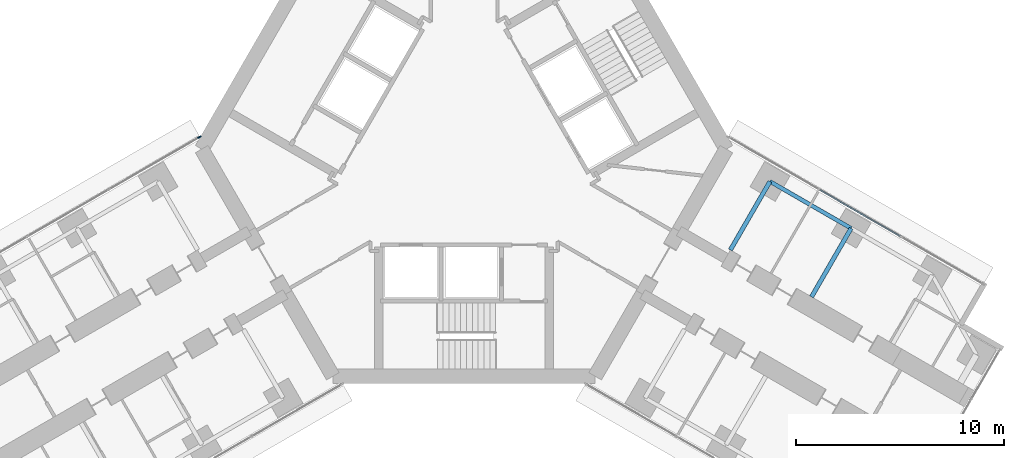
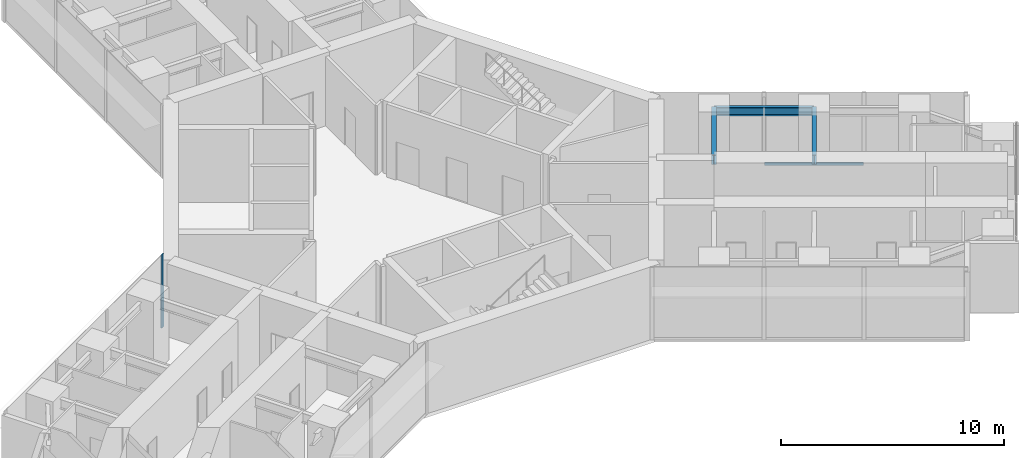
# One storey, part 10 of 25: 3 beams, 2 members, 2 elements without a shape of their own.
"""IFC4 building model written with IfcOpenShell, lengths in metres."""

from ifc_helpers import new_model, si_unit, direction, frame, origin, origin_2d, place, context, subcontext, project, spatial, rectangle, i_section, extrude, material, material_profile, profile_set, type_object, element, aggregate, save


model = new_model("IFC4")

# Units and contexts
model_context = context("Model", 3, precision=1e-05, world=origin(), true_north=direction((0.0, 1.0)))
body_context = subcontext(model_context, "Body", "Model", "MODEL_VIEW")
ifc_project = project(units=[si_unit("LENGTHUNIT", "METRE"), si_unit("AREAUNIT", "SQUARE_METRE"), si_unit("VOLUMEUNIT", "CUBIC_METRE"), si_unit("PLANEANGLEUNIT", "RADIAN"), si_unit("MASSUNIT", "GRAM", prefix="KILO")], contexts=[model_context])

# Site, building, storey
site_placement = place(None, origin())
site = spatial("IfcSite", under=ifc_project, at=site_placement, CompositionType="ELEMENT")
building_placement = place(site_placement, origin())
building = spatial("IfcBuilding", under=site, at=building_placement, Name="Upepo Twin Towers", CompositionType="ELEMENT")
storey_placement = place(building_placement, frame((0.0, 0.0, 80.5)))
storey = spatial("IfcBuildingStorey", under=building, at=storey_placement, Name="L19", CompositionType="ELEMENT", Elevation=80.5)

# Beams
ifc_material_1 = material(Name="Steel S355", Category="steel")
ifc_material_profile_1 = material_profile(ifc_material_1, i_section(OverallWidth=0.1904296875, OverallDepth=0.45703125, WebThickness=0.009033203125, FlangeThickness=0.014404296875, FilletRadius=0.01025390625, at=origin_2d()), Name="UB 457x191x74")
ifc_profile_set_1 = profile_set([ifc_material_profile_1], Name="Steel S355")
beam_type_1 = type_object("IfcBeamType", Name="Beam UB 457x191x74", PredefinedType="BEAM", material=ifc_profile_set_1)
beam_1_placement = place(storey_placement, frame((73.19140625, -19.553955078125, 3.571533203125), z_axis=(0.866017533419, -0.500013631625, 0.0), x_axis=(0.500013631625, 0.866017533419, 0.0)))
element("IfcBeam", 1, at=beam_1_placement, inside=storey, type_object=beam_type_1, Name="T2 edge beam CL 13.5-18.0", PredefinedType="BEAM", context=body_context, shape_type="SweptSolid", body=[
    extrude(i_section(OverallWidth=0.1904296875, OverallDepth=0.45703125, WebThickness=0.009033203125, FlangeThickness=0.014404296875, FilletRadius=0.01025390625, at=origin_2d()), origin(), (0.0, 0.0, 1.0), 4.499755859375),
])
ifc_material_2 = material(Name="Steel S355", Category="steel")
ifc_material_profile_2 = material_profile(ifc_material_2, i_section(OverallWidth=0.209228515625, OverallDepth=0.533203125, WebThickness=0.010009765625, FlangeThickness=0.015625, FilletRadius=0.0126953125, at=origin_2d()), Name="UB 533x210x92")
ifc_profile_set_2 = profile_set([ifc_material_profile_2], Name="Steel S355")
beam_type_2 = type_object("IfcBeamType", Name="Beam UB 533x210x92", PredefinedType="BEAM", material=ifc_profile_set_2)
beam_2_placement = place(storey_placement, frame((73.19140625, -19.553955078125, 3.533447265625), z_axis=(-0.500043160704, -0.866000483506, 0.0), x_axis=(0.866000483506, -0.500043160704, 0.0)))
element("IfcBeam", 2, at=beam_2_placement, inside=storey, type_object=beam_type_2, Name="T2 girder CL at 13.5", PredefinedType="BEAM", context=body_context, shape_type="SweptSolid", body=[
    extrude(i_section(OverallWidth=0.209228515625, OverallDepth=0.533203125, WebThickness=0.010009765625, FlangeThickness=0.015625, FilletRadius=0.0126953125, at=origin_2d()), origin(), (0.0, 0.0, 1.0), 3.800048828125),
])
beam_3_placement = place(storey_placement, frame((77.08837890625, -21.803955078125, 3.533447265625), z_axis=(-0.499994975061, -0.866028304915, 0.0), x_axis=(0.866028304915, -0.499994975061, 0.0)))
element("IfcBeam", 3, at=beam_3_placement, inside=storey, type_object=beam_type_2, Name="T2 girder CL at 18.0", PredefinedType="BEAM", context=body_context, shape_type="SweptSolid", body=[
    extrude(i_section(OverallWidth=0.209228515625, OverallDepth=0.533203125, WebThickness=0.010009765625, FlangeThickness=0.015625, FilletRadius=0.0126953125, at=origin_2d()), origin(), (0.0, 0.0, 1.0), 3.7998046875),
])

# Curtain wall, member
ifc_material_3 = material(Name="Aluminium and fritted glass", Category="aluminium")
curtain_wall_type = type_object("IfcCurtainWallType", Name="Tower curtain wall TW1, fritted glass", PredefinedType="NOTDEFINED", material=ifc_material_3)
curtain_wall_1_placement = place(storey_placement, origin())
curtain_wall_1 = element("IfcCurtainWall", 4, at=curtain_wall_1_placement, inside=storey, type_object=curtain_wall_type, Name="T2 L19 wing B flank R curtain wall", PredefinedType="NOTDEFINED")
ifc_material_4 = material(Name="Aluminium mullion", Category="aluminium")
ifc_material_profile_3 = material_profile(ifc_material_4, rectangle(XDim=0.06494140625, YDim=0.179931640625, at=origin_2d()), Name="MULLION 65x180")
ifc_profile_set_3 = profile_set([ifc_material_profile_3], Name="Aluminium mullion")
member_type_1 = type_object("IfcMemberType", Name="Mullion 65x180 TW1", PredefinedType="MULLION", material=ifc_profile_set_3)
member_1_placement = place(storey_placement, frame((45.79150390625, -17.427490234375, 0.0), z_axis=(0.0, 0.0, 1.0), x_axis=(-0.500000024426, 0.866025389682, 0.0)))
member_1 = element("IfcMember", 5, at=member_1_placement, type_object=member_type_1, Name="T2 L19 wing B flank R curtain wall mullion 4", PredefinedType="MULLION", context=body_context, shape_type="SweptSolid", body=[
    extrude(rectangle(XDim=0.06494140625, YDim=0.179931640625, at=origin_2d()), origin(), (0.0, 0.0, 1.0), 4.0),
])
aggregate(curtain_wall_1, [member_1])

curtain_wall_2_placement = place(storey_placement, origin())
curtain_wall_2 = element("IfcCurtainWall", 6, at=curtain_wall_2_placement, inside=storey, type_object=curtain_wall_type, Name="T2 L19 wing C flank L curtain wall", PredefinedType="NOTDEFINED")
ifc_material_5 = material(Name="Aluminium transom", Category="aluminium")
ifc_material_profile_4 = material_profile(ifc_material_5, rectangle(XDim=0.06494140625, YDim=0.14990234375, at=origin_2d()), Name="TRANSOM 65x150")
ifc_profile_set_4 = profile_set([ifc_material_profile_4], Name="Aluminium transom")
member_type_2 = type_object("IfcMemberType", Name="Transom 65x150 TW1", PredefinedType="USERDEFINED", material=ifc_profile_set_4)
member_2_placement = place(storey_placement, frame((75.593017578125, -19.958984375, 0.074951171875), z_axis=(0.866022410713, -0.500005184116, 0.0), x_axis=(0.500005184116, 0.866022410713, 0.0)))
member_2 = element("IfcMember", 7, at=member_2_placement, type_object=member_type_2, Name="T2 L19 wing C flank L curtain wall transom 2", ObjectType="TRANSOM", PredefinedType="USERDEFINED", context=body_context, shape_type="SweptSolid", body=[
    extrude(rectangle(XDim=0.06494140625, YDim=0.14990234375, at=origin_2d()), origin(), (0.0, 0.0, 1.0), 4.43505859375),
])
aggregate(curtain_wall_2, [member_2])

save(model, "model.ifc")
